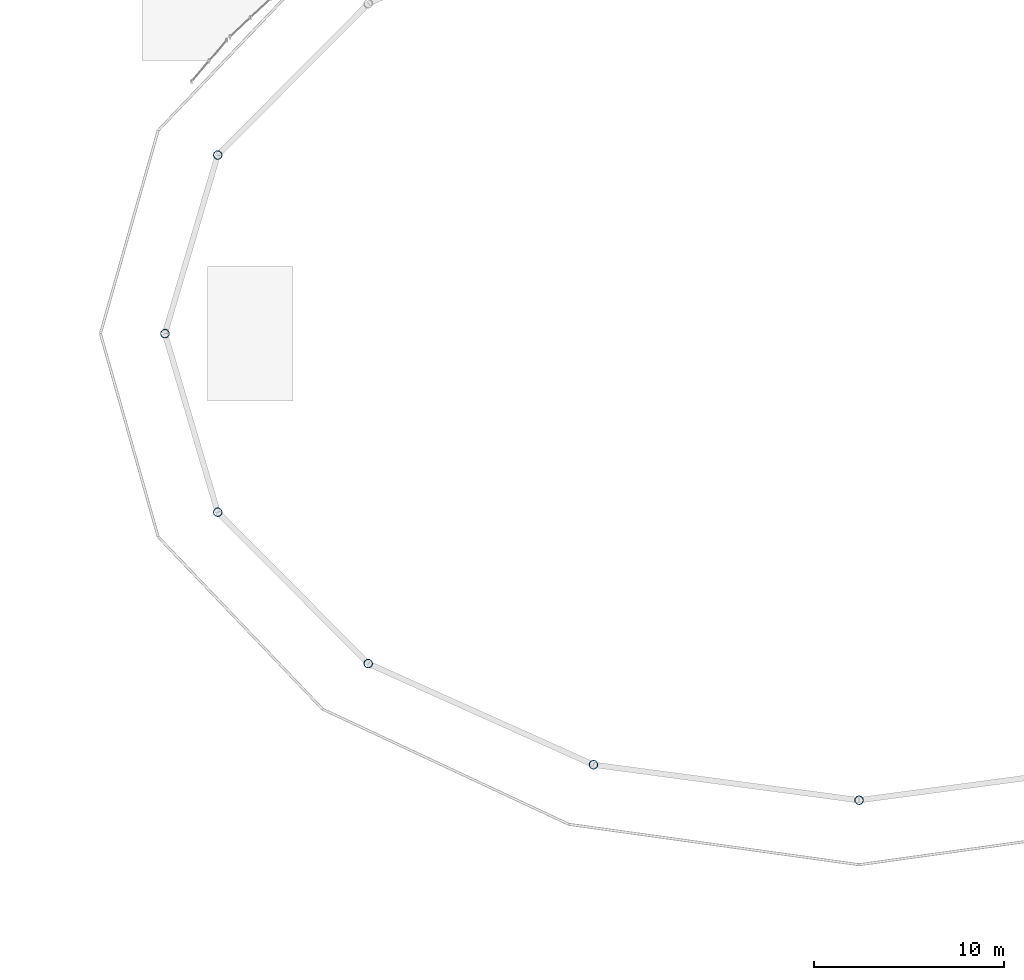
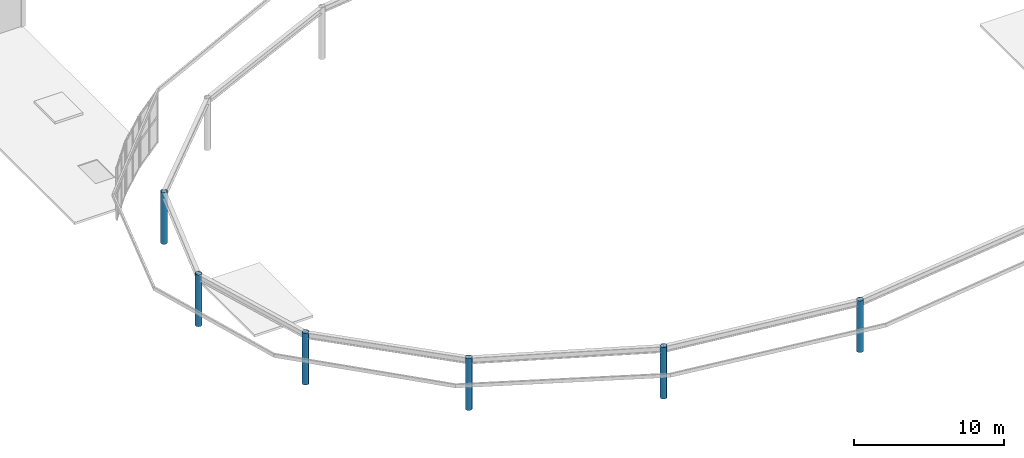
# One storey, part 1 of 73: 6 columns.
"""IFC4 building model written with IfcOpenShell, lengths in metres."""

import ifcopenshell
import ifcopenshell.guid

model = None  # the IFC model being written
_history = None  # IfcOwnerHistory: only IFC2X3 demands one
_inside = {}  # id of a spatial element -> (the spatial element, [elements in it])
_under = {}  # id of a project, library or spatial element -> (it, [spatial elements below it])
_declared = {}  # id of a project -> (the project, [libraries it declares])
_typed = {}  # id of a type object -> (the type object, [elements of that type])
_made_of = {}  # id of a material, layer set ... -> (it, [elements and type objects made of it])


def new_model(schema):
    """Start an empty IFC model of exactly this schema.

    Asked for "IFC4X3", IfcOpenShell would pick the latest addendum, in which some entities
    have other attributes; the version numbers below select the first issue.
    IFC2X3 requires an IfcOwnerHistory on every rooted entity: one is made here for all.
    """
    global model, _history
    if schema == "IFC4X3":
        model = ifcopenshell.file(schema_version=(4, 3, 0, 0))
    else:
        model = ifcopenshell.file(schema=schema)
    _inside.clear()
    _under.clear()
    _declared.clear()
    _typed.clear()
    _made_of.clear()
    _history = None
    if model.schema == "IFC2X3":
        org = make("IfcOrganization", Name="unknown")
        user = make(
            "IfcPersonAndOrganization",
            ThePerson=make("IfcPerson", FamilyName="unknown"),
            TheOrganization=org,
        )
        app = make(
            "IfcApplication",
            ApplicationDeveloper=org,
            Version="unknown",
            ApplicationFullName="unknown",
            ApplicationIdentifier="unknown",
        )
        _history = make(
            "IfcOwnerHistory",
            OwningUser=user,
            OwningApplication=app,
            ChangeAction="ADDED",
            CreationDate=0,
        )
    return model


def make(cls, **values):
    """One entity of the class cls with the attributes given. An attribute that is None is left unset."""
    return model.create_entity(
        cls, **{name: value for name, value in values.items() if value is not None}
    )


def rooted(cls, **values):
    """An entity with a GlobalId (a new one), such as an element, a storey or a relation."""
    return make(cls, GlobalId=ifcopenshell.guid.new(), OwnerHistory=_history, **values)


def si_unit(unit_type, name, prefix=None):
    """IfcSIUnit, for example si_unit("LENGTHUNIT", "METRE", prefix="MILLI")."""
    return make("IfcSIUnit", UnitType=unit_type, Prefix=prefix, Name=name)


def derived_unit(unit_type, elements):
    """IfcDerivedUnit: a product of units, each with its exponent."""
    return make(
        "IfcDerivedUnit",
        Elements=[
            make("IfcDerivedUnitElement", Unit=unit, Exponent=power)
            for unit, power in elements
        ],
        UnitType=unit_type,
    )


def assignment(units):
    """IfcUnitAssignment: the units of a project."""
    return None if units is None else make("IfcUnitAssignment", Units=units)


def point(xyz):
    """IfcCartesianPoint."""
    return None if xyz is None else make("IfcCartesianPoint", Coordinates=xyz)


def direction(xyz):
    """IfcDirection."""
    return None if xyz is None else make("IfcDirection", DirectionRatios=xyz)


def frame(location, z_axis=None, x_axis=None):
    """IfcAxis2Placement3D, a coordinate frame: its origin and axes. An axis left out is left unset."""
    return make(
        "IfcAxis2Placement3D",
        Location=point(location),
        Axis=direction(z_axis),
        RefDirection=direction(x_axis),
    )


def frame_2d(location, x_axis=None):
    """IfcAxis2Placement2D, a coordinate frame in the plane: its origin and x axis."""
    return make(
        "IfcAxis2Placement2D", Location=point(location), RefDirection=direction(x_axis)
    )


def origin():
    """The frame at (0, 0, 0) with its axes left unset."""
    return frame((0.0, 0.0, 0.0))


def origin_2d():
    """The frame at (0, 0) in the plane with its x axis left unset."""
    return frame_2d((0.0, 0.0))


def place(relative_to, where):
    """IfcLocalPlacement: puts the frame where relative to a parent placement (None: the world)."""
    return make(
        "IfcLocalPlacement", PlacementRelTo=relative_to, RelativePlacement=where
    )


def context(
    kind, dimensions, precision=None, world=None, true_north=None, identifier=None
):
    """IfcGeometricRepresentationContext, for example the 3D "Model" context."""
    return make(
        "IfcGeometricRepresentationContext",
        ContextIdentifier=identifier,
        ContextType=kind,
        CoordinateSpaceDimension=dimensions,
        Precision=precision,
        WorldCoordinateSystem=world,
        TrueNorth=true_north,
    )


def subcontext(parent, identifier, kind, view, scale=None):
    """IfcGeometricRepresentationSubContext, for example "Body" below "Model"."""
    return make(
        "IfcGeometricRepresentationSubContext",
        ContextIdentifier=identifier,
        ContextType=kind,
        ParentContext=parent,
        TargetScale=scale,
        TargetView=view,
    )


def project(units=None, contexts=None):
    """IfcProject with its units and contexts."""
    return rooted(
        "IfcProject",
        Name="project",
        RepresentationContexts=contexts,
        UnitsInContext=assignment(units),
    )


def spatial(cls, under=None, at=None, **own):
    """A site, building, storey or space (cls), placed at a placement, below another one or the project."""
    s = rooted(cls, ObjectPlacement=at, **own)
    if under is not None:
        _under.setdefault(under.id(), (under, []))[1].append(s)
    return s


def profile(cls, at=None, kind="AREA", **sizes):
    """A parametric profile (cls). Its sizes go by their IFC names, for example OverallWidth=200.0."""
    return make(cls, ProfileType=kind, Position=at, **sizes)


def hollow_circle(**sizes):
    """IfcCircleHollowProfileDef."""
    return profile("IfcCircleHollowProfileDef", **sizes)


def extrude(swept, where, along, depth):
    """IfcExtrudedAreaSolid: the profile swept, set in the frame where, extruded along a direction by depth."""
    return make(
        "IfcExtrudedAreaSolid",
        SweptArea=swept,
        Position=where,
        ExtrudedDirection=direction(along),
        Depth=depth,
    )


def shape(context_of_items, identifier, shape_type, items):
    """IfcShapeRepresentation: the items that make up one representation, for example the "Body"."""
    return make(
        "IfcShapeRepresentation",
        ContextOfItems=context_of_items,
        RepresentationIdentifier=identifier,
        RepresentationType=shape_type,
        Items=items,
    )


def material(Name=None, Category=None):
    """IfcMaterial."""
    return make("IfcMaterial", Name=Name, Category=Category)


def material_profile(
    of_material, cross_section, Name=None, Category=None, Priority=None
):
    """IfcMaterialProfile: a cross section and its material."""
    return make(
        "IfcMaterialProfile",
        Name=Name,
        Material=of_material,
        Profile=cross_section,
        Priority=Priority,
        Category=Category,
    )


def profile_set(profiles, Name=None, composite=None):
    """IfcMaterialProfileSet."""
    return make(
        "IfcMaterialProfileSet",
        Name=Name,
        MaterialProfiles=profiles,
        CompositeProfile=composite,
    )


def made_of(thing, what):
    """Note that an element or type object is made of a material, layer set ...; save() writes the relation."""
    if what is not None:
        _made_of.setdefault(what.id(), (what, []))[1].append(thing)
    return thing


def type_object(cls, material=None, **own):
    """A type object (cls), such as IfcWallType, which elements share."""
    return made_of(rooted(cls, **own), material)


def element(
    cls,
    number,
    at=None,
    inside=None,
    cuts=None,
    type_object=None,
    material=None,
    context=None,
    identifier="Body",
    shape_type=None,
    held_by="IfcProductDefinitionShape",
    body=None,
    shapes=None,
    **own,
):
    """One element of the class cls, such as IfcWall. Its Tag is "e" and its number.

    at: its placement. inside: the storey or other place that contains it. cuts: it is an
    opening in that element (IfcRelVoidsElement). A single representation is given by context,
    identifier, shape_type and body (its items); several are given by shapes. held_by: the class
    of the entity that holds the representations. save() writes the other relations.
    """
    e = rooted(cls, Tag="e%d" % number, ObjectPlacement=at, **own)
    if body is not None:
        shapes = [shape(context, identifier, shape_type, body)]
    if shapes is not None:
        e.Representation = make(held_by, Representations=shapes)
    if inside is not None:
        _inside.setdefault(inside.id(), (inside, []))[1].append(e)
    if cuts is not None:
        rooted(
            "IfcRelVoidsElement", RelatingBuildingElement=cuts, RelatedOpeningElement=e
        )
    if type_object is not None:
        _typed.setdefault(type_object.id(), (type_object, []))[1].append(e)
    return made_of(e, material)


def aggregate(whole, parts):
    """IfcRelAggregates: a whole, such as a stair, and the parts it consists of."""
    return rooted("IfcRelAggregates", RelatingObject=whole, RelatedObjects=parts)


def save(model, path):
    """Write the relations noted so far, then the file.

    IfcRelAggregates (storeys below a building ...), IfcRelContainedInSpatialStructure (elements
    in a storey), IfcRelDefinesByType, IfcRelAssociatesMaterial and IfcRelDeclares: one each for
    every whole, place, type object, material and project.
    """
    for whole, parts in _under.values():
        aggregate(whole, parts)
    for where, things in _inside.values():
        rooted(
            "IfcRelContainedInSpatialStructure",
            RelatedElements=things,
            RelatingStructure=where,
        )
    for kind, things in _typed.values():
        rooted("IfcRelDefinesByType", RelatedObjects=things, RelatingType=kind)
    for what, things in _made_of.values():
        rooted("IfcRelAssociatesMaterial", RelatedObjects=things, RelatingMaterial=what)
    for by, libraries in _declared.values():
        rooted("IfcRelDeclares", RelatingContext=by, RelatedDefinitions=libraries)
    model.write(path)


model = new_model("IFC4")

# Units and contexts
model_context = context("Model", 3, precision=1e-05, world=origin(), true_north=direction((0.0, 1.0)))
body_context = subcontext(model_context, "Body", "Model", "MODEL_VIEW")
ifc_project = project(units=[si_unit("LENGTHUNIT", "METRE"), si_unit("AREAUNIT", "SQUARE_METRE"), si_unit("VOLUMEUNIT", "CUBIC_METRE"), si_unit("PLANEANGLEUNIT", "RADIAN"), si_unit("MASSUNIT", "GRAM", prefix="KILO"), derived_unit("THERMALTRANSMITTANCEUNIT", [(si_unit("MASSUNIT", "GRAM", prefix="KILO"), 1), (si_unit("TIMEUNIT", "SECOND"), -3), (si_unit("THERMODYNAMICTEMPERATUREUNIT", "KELVIN"), -1)])], contexts=[model_context])

# Site, building, storey
site_placement = place(None, origin())
site = spatial("IfcSite", under=ifc_project, at=site_placement, CompositionType="ELEMENT")
building_placement = place(site_placement, origin())
building = spatial("IfcBuilding", under=site, at=building_placement, Name="Kharveza Railside Sports Centre", CompositionType="ELEMENT")
storey_placement = place(building_placement, frame((0.0, 0.0, 8.699951171875)))
storey = spatial("IfcBuildingStorey", under=building, at=storey_placement, Name="L02", CompositionType="ELEMENT", Elevation=8.699951171875)

# Columns
ifc_material = material(Name="Steel S355J2", Category="steel")
ifc_material_profile = material_profile(ifc_material, hollow_circle(Radius=0.228515625, WallThickness=0.02001953125, at=origin_2d()), Name="CHS 457.0x20.0")
ifc_profile_set = profile_set([ifc_material_profile], Name="Steel S355J2")
column_type = type_object("IfcColumnType", Name="COL-T01", PredefinedType="COLUMN", material=ifc_profile_set)
for number, where, z_axis, x_axis, name in (
    (1, (20.785888671875, 59.81396484375, 0.0), (0.0, 0.0, 1.0), (1.0, 0.0, 0.0), "COL-DRUM-08-L02"),
    (2, (18.0, 50.39990234375, 0.0), (0.0, 0.0, 1.0), (1.0, 0.0, 0.0), "COL-DRUM-09-L02"),
    (3, (20.785888671875, 40.986083984375, 0.0), (0.0, 0.0, 1.0), (1.0, 0.0, 0.0), "COL-DRUM-10-L02"),
    (4, (28.719970703125, 33.005126953125, 0.0), (0.0, 0.0, 1.0), (1.0, 0.0, 0.0), "COL-DRUM-11-L02"),
    (5, (40.59375, 27.672607421875, 0.0), (0.0, 0.0, 1.0), (1.0, 0.0, 0.0), "COL-DRUM-12-L02"),
    (6, (54.60009765625, 25.800048828125, 0.0), (0.0, 0.0, 1.0), (1.0, 0.0, 0.0), "COL-DRUM-13-L02"),
):
    element("IfcColumn", number, at=place(storey_placement, frame(where, z_axis=z_axis, x_axis=x_axis)), inside=storey, type_object=column_type, Name=name, PredefinedType="COLUMN", context=body_context, shape_type="SweptSolid", body=[
        extrude(hollow_circle(Radius=0.228515625, WallThickness=0.02001953125, at=origin_2d()), origin(), (0.0, 0.0, 1.0), 4.199951171875),
    ])

save(model, "model.ifc")
